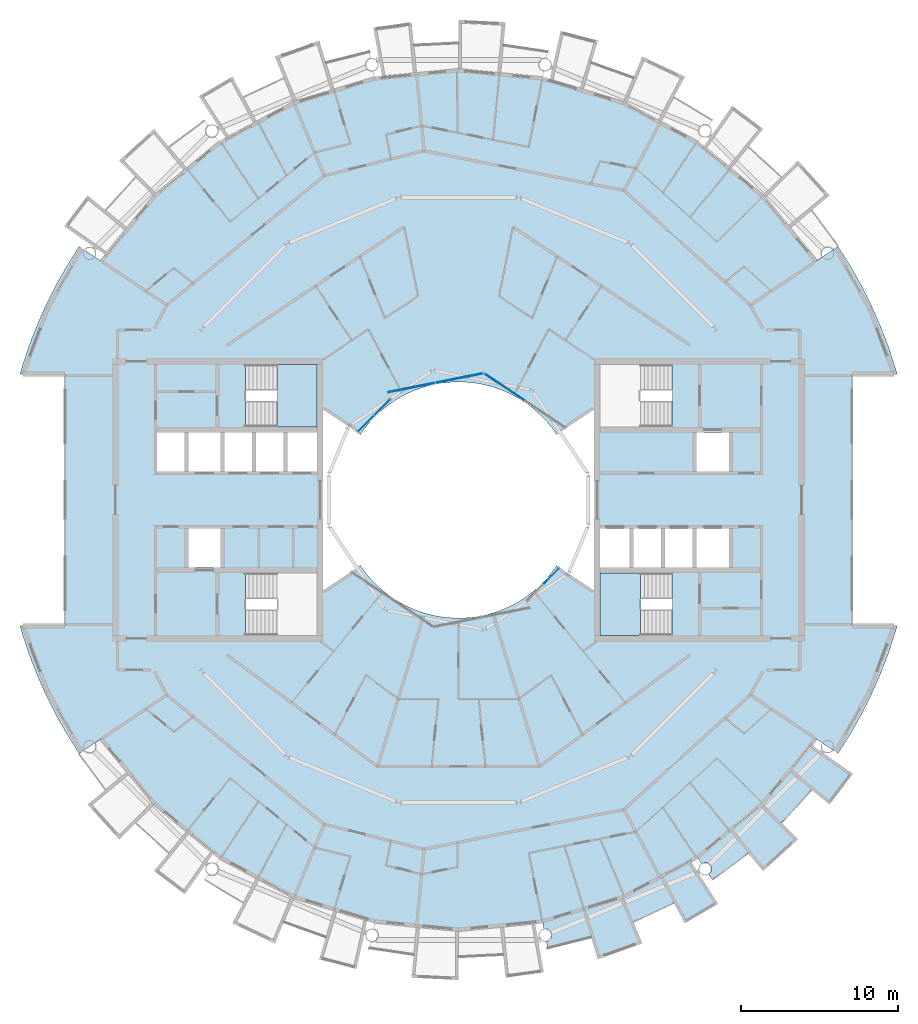
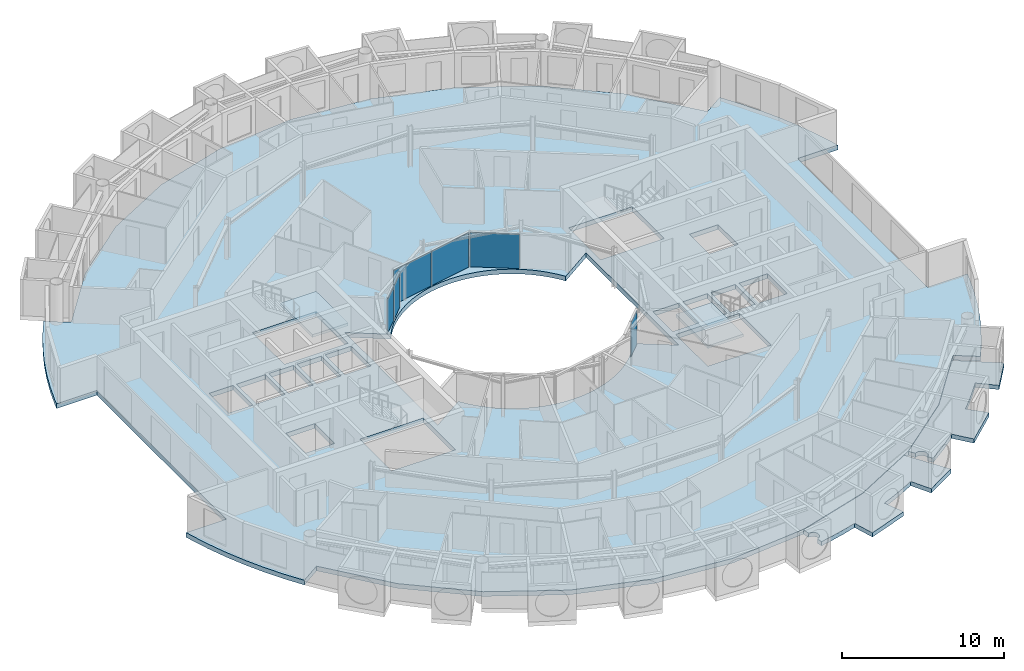
# One storey, part 12 of 28: 6 plates, 5 slabs, 6 elements without a shape of their own.
"""IFC4 building model written with IfcOpenShell, lengths in metres."""

from ifc_helpers import new_model, si_unit, direction, frame, origin, origin_2d, place, context, subcontext, project, spatial, polyline, rectangle, outline, extrude, material, layer, layer_set, type_object, element, aggregate, save


model = new_model("IFC4")

# Units and contexts
model_context = context("Model", 3, precision=1e-05, world=origin(), true_north=direction((0.0, 1.0)))
body_context = subcontext(model_context, "Body", "Model", "MODEL_VIEW")
ifc_project = project(units=[si_unit("LENGTHUNIT", "METRE"), si_unit("AREAUNIT", "SQUARE_METRE"), si_unit("VOLUMEUNIT", "CUBIC_METRE"), si_unit("PLANEANGLEUNIT", "RADIAN"), si_unit("MASSUNIT", "GRAM", prefix="KILO")], contexts=[model_context])

# Site, building, storey
site_placement = place(None, origin())
site = spatial("IfcSite", under=ifc_project, at=site_placement, CompositionType="ELEMENT")
building_placement = place(site_placement, origin())
building = spatial("IfcBuilding", under=site, at=building_placement, Name="Maasbend Ring Residences", CompositionType="ELEMENT")
storey_placement = place(building_placement, frame((0.0, 0.0, 227.949951171875)))
storey = spatial("IfcBuildingStorey", under=building, at=storey_placement, Name="L65", CompositionType="ELEMENT", Elevation=227.949951171875)

# Stair, slab
ifc_material_1 = material(Name="Concrete C40/50", Category="concrete")
stair_type = type_object("IfcStairType", Name="CORE STAIR 18 RISERS", PredefinedType="HALF_TURN_STAIR", material=ifc_material_1)
stair_1_placement = place(storey_placement, origin())
stair_1 = element("IfcStair", 1, at=stair_1_placement, inside=storey, type_object=stair_type, Name="L65 Exit stair ST-E2", PredefinedType="HALF_TURN_STAIR")
ifc_material_2 = material(Name="Concrete C40/50", Category="concrete")
ifc_layer_1 = layer(ifc_material_2, 0.199951171875)
ifc_layer_set_1 = layer_set([ifc_layer_1], Name="Concrete C40/50")
slab_type_1 = type_object("IfcSlabType", Name="CORE STAIR LANDING 200", PredefinedType="LANDING", material=ifc_layer_set_1)
slab_1_placement = place(storey_placement, frame((0.0, 0.0, 1.324951171875)))
slab_1 = element("IfcSlab", 2, at=slab_1_placement, type_object=slab_type_1, Name="ST-E2 landing 1", PredefinedType="LANDING", context=body_context, shape_type="SweptSolid", body=[
    extrude(outline(polyline([(11.550048828125, -4.64990234375), (9.0, -4.64990234375), (9.0, -8.60009765625), (11.550048828125, -8.60009765625), (11.550048828125, -4.64990234375)])), origin(), (0.0, 0.0, 1.0), 0.2001953125),
])
aggregate(stair_1, [slab_1])

stair_2_placement = place(storey_placement, origin())
stair_2 = element("IfcStair", 3, at=stair_2_placement, inside=storey, type_object=stair_type, Name="L65 Exit stair ST-W2", PredefinedType="HALF_TURN_STAIR")
slab_2_placement = place(storey_placement, frame((0.0, 0.0, 1.324951171875)))
slab_2 = element("IfcSlab", 4, at=slab_2_placement, type_object=slab_type_1, Name="ST-W2 landing 1", PredefinedType="LANDING", context=body_context, shape_type="SweptSolid", body=[
    extrude(outline(polyline([(-11.550048828125, 4.64990234375), (-9.0, 4.64990234375), (-9.0, 8.60009765625), (-11.550048828125, 8.60009765625), (-11.550048828125, 4.64990234375)])), origin(), (0.0, 0.0, 1.0), 0.2001953125),
])
aggregate(stair_2, [slab_2])

# Curtain wall, plate
ifc_material_3 = material(Name="Aluminium and clear glass", Category="aluminium")
ifc_layer_2 = layer(ifc_material_3, 0.179931640625)
ifc_layer_set_2 = layer_set([ifc_layer_2], Name="CW-W")
curtain_wall_type = type_object("IfcCurtainWallType", Name="CW-W", PredefinedType="NOTDEFINED", material=ifc_layer_set_2)
curtain_wall_1_placement = place(storey_placement, origin())
curtain_wall_1 = element("IfcCurtainWall", 5, at=curtain_wall_1_placement, inside=storey, type_object=curtain_wall_type, Name="Well curtain wall N1", PredefinedType="NOTDEFINED")
ifc_material_4 = material(Name="Glass clear laminated", Category="glass")
ifc_layer_3 = layer(ifc_material_4, 0.031982421875)
ifc_layer_set_3 = layer_set([ifc_layer_3], Name="CWP-W")
plate_type = type_object("IfcPlateType", Name="CWP-W", PredefinedType="CURTAIN_PANEL", material=ifc_layer_set_3)
plate_1_placement = place(storey_placement, frame((2.922119140625, 7.17578125, 0.0), z_axis=(0.0, 0.0, 1.0), x_axis=(-0.831469612303, 0.55557023302, 0.0)))
plate_1 = element("IfcPlate", 6, at=plate_1_placement, type_object=plate_type, Name="Glass panel well face", PredefinedType="CURTAIN_PANEL", context=body_context, shape_type="SweptSolid", body=[
    extrude(rectangle(XDim=3.053955078125, YDim=0.031982421875, at=origin_2d()), origin(), (0.0, 0.0, 1.0), 2.580078125),
])
aggregate(curtain_wall_1, [plate_1])

# Curtain wall, plates
curtain_wall_2_placement = place(storey_placement, origin())
curtain_wall_2 = element("IfcCurtainWall", 7, at=curtain_wall_2_placement, inside=storey, type_object=curtain_wall_type, Name="Well curtain wall N2", PredefinedType="NOTDEFINED")
plate_2_placement = place(storey_placement, frame((0.04638671875, 7.747802734375, 0.0), z_axis=(0.0, 0.0, 1.0), x_axis=(-0.980785280403, -0.195090322016, 0.0)))
plate_2 = element("IfcPlate", 8, at=plate_2_placement, type_object=plate_type, Name="Glass panel well face", PredefinedType="CURTAIN_PANEL", context=body_context, shape_type="SweptSolid", body=[
    extrude(rectangle(XDim=3.053955078125, YDim=0.031982421875, at=origin_2d()), origin(), (0.0, 0.0, 1.0), 2.580078125),
])
plate_3_placement = place(storey_placement, frame((-3.0078125, 7.140380859375, 0.0), z_axis=(0.0, 0.0, 1.0), x_axis=(-0.980785280403, -0.195090322016, 0.0)))
plate_3 = element("IfcPlate", 9, at=plate_3_placement, type_object=plate_type, Name="Glass panel well face", PredefinedType="CURTAIN_PANEL", context=body_context, shape_type="SweptSolid", body=[
    extrude(rectangle(XDim=3.053955078125, YDim=0.031982421875, at=origin_2d()), origin(), (0.0, 0.0, 1.0), 2.580078125),
])
aggregate(curtain_wall_2, [plate_2, plate_3])

curtain_wall_3_placement = place(storey_placement, origin())
curtain_wall_3 = element("IfcCurtainWall", 10, at=curtain_wall_3_placement, inside=storey, type_object=curtain_wall_type, Name="Well curtain wall N3", PredefinedType="NOTDEFINED")
plate_4_placement = place(storey_placement, frame((-4.84375, 5.89013671875, 0.0), z_axis=(0.0, 0.0, 1.0), x_axis=(-0.707106781187, -0.707106781187, 0.0)))
plate_4 = element("IfcPlate", 11, at=plate_4_placement, type_object=plate_type, Name="Glass panel well face", PredefinedType="CURTAIN_PANEL", context=body_context, shape_type="SweptSolid", body=[
    extrude(rectangle(XDim=1.419677734375, YDim=0.031982421875, at=origin_2d()), origin(), (0.0, 0.0, 1.0), 2.580078125),
])
plate_5_placement = place(storey_placement, frame((-5.89013671875, 4.84375, 0.0), z_axis=(0.0, 0.0, 1.0), x_axis=(-0.707106781187, -0.707106781187, 0.0)))
plate_5 = element("IfcPlate", 12, at=plate_5_placement, type_object=plate_type, Name="Glass panel well face", PredefinedType="CURTAIN_PANEL", context=body_context, shape_type="SweptSolid", body=[
    extrude(rectangle(XDim=1.419677734375, YDim=0.031982421875, at=origin_2d()), origin(), (0.0, 0.0, 1.0), 2.580078125),
])
aggregate(curtain_wall_3, [plate_4, plate_5])

# Curtain wall, plate
curtain_wall_4_placement = place(storey_placement, origin())
curtain_wall_4 = element("IfcCurtainWall", 13, at=curtain_wall_4_placement, inside=storey, type_object=curtain_wall_type, Name="Well curtain wall S3", PredefinedType="NOTDEFINED")
plate_6_placement = place(storey_placement, frame((5.89013671875, -4.84375, 0.0), z_axis=(0.0, 0.0, 1.0), x_axis=(0.707106781187, 0.707106781187, 0.0)))
plate_6 = element("IfcPlate", 14, at=plate_6_placement, type_object=plate_type, Name="Glass panel well face", PredefinedType="CURTAIN_PANEL", context=body_context, shape_type="SweptSolid", body=[
    extrude(rectangle(XDim=1.419677734375, YDim=0.031982421875, at=origin_2d()), origin(), (0.0, 0.0, 1.0), 2.580078125),
])
aggregate(curtain_wall_4, [plate_6])

# Slabs
ifc_material_5 = material(Name="Concrete C40/50", Category="concrete")
ifc_layer_4 = layer(ifc_material_5, 0.35009765625)
ifc_layer_set_4 = layer_set([ifc_layer_4], Name="Concrete C40/50")
slab_type_2 = type_object("IfcSlabType", Name="Post-tensioned flat plate 350", PredefinedType="FLOOR", material=ifc_layer_set_4)
slab_3_placement = place(storey_placement, frame((0.0, 0.0, -0.349853515625)))
element("IfcSlab", 15, at=slab_3_placement, inside=storey, type_object=slab_type_2, Name="Floor slab L65", PredefinedType="FLOOR", context=body_context, shape_type="SweptSolid", body=[
    extrude(outline(polyline([(24.8740234375, -14.908935546875), (25.57568359375, -13.67041015625), (26.2158203125, -12.399169921875), (26.79248046875, -11.097900390625), (27.3046875, -9.769775390625), (27.751220703125, -8.418212890625), (27.866943359375, -8.0), (25.0, -8.0), (25.0, 8.0), (27.866943359375, 8.0), (27.751220703125, 8.418212890625), (27.3046875, 9.769775390625), (26.79248046875, 11.097900390625), (26.2158203125, 12.399169921875), (25.57568359375, 13.67041015625), (24.8740234375, 14.908935546875), (24.112548828125, 16.111572265625), (22.69921875, 15.1669921875), (19.303955078125, 19.303955078125), (15.1669921875, 22.69921875), (10.447265625, 25.221923828125), (5.325927734375, 26.775390625), (0.0, 27.300048828125), (-5.325927734375, 26.775390625), (-10.447265625, 25.221923828125), (-15.1669921875, 22.69921875), (-19.303955078125, 19.303955078125), (-22.69921875, 15.1669921875), (-24.112548828125, 16.111572265625), (-24.8740234375, 14.908935546875), (-25.57568359375, 13.67041015625), (-26.2158203125, 12.399169921875), (-26.79248046875, 11.097900390625), (-27.3046875, 9.769775390625), (-27.751220703125, 8.418212890625), (-27.866943359375, 8.0), (-25.0, 8.0), (-25.0, -8.0), (-27.866943359375, -8.0), (-27.751220703125, -8.418212890625), (-27.3046875, -9.769775390625), (-26.79248046875, -11.097900390625), (-26.2158203125, -12.399169921875), (-25.57568359375, -13.67041015625), (-24.8740234375, -14.908935546875), (-24.112548828125, -16.111572265625), (-22.69921875, -15.1669921875), (-19.303955078125, -19.303955078125), (-15.1669921875, -22.69921875), (-10.447265625, -25.221923828125), (-5.325927734375, -26.775390625), (0.0, -27.300048828125), (5.325927734375, -26.775390625), (10.447265625, -25.221923828125), (15.1669921875, -22.69921875), (19.303955078125, -19.303955078125), (22.69921875, -15.1669921875), (24.112548828125, -16.111572265625), (24.8740234375, -14.908935546875)]), holes=[polyline([(15.125, 1.824951171875), (15.125, 4.27490234375), (17.175048828125, 4.27490234375), (17.175048828125, 1.824951171875), (15.125, 1.824951171875)]), polyline([(15.125, -4.27490234375), (15.125, -1.824951171875), (17.175048828125, -1.824951171875), (17.175048828125, -4.27490234375), (15.125, -4.27490234375)]), polyline([(13.125, -4.27490234375), (13.125, -1.824951171875), (14.875, -1.824951171875), (14.875, -4.27490234375), (13.125, -4.27490234375)]), polyline([(13.550048828125, 8.60009765625), (13.550048828125, 4.64990234375), (9.0, 4.64990234375), (9.0, 8.60009765625), (13.550048828125, 8.60009765625)]), polyline([(13.550048828125, -4.64990234375), (13.550048828125, -8.60009765625), (9.0, -8.60009765625), (9.0, -4.64990234375), (13.550048828125, -4.64990234375)]), polyline([(11.125, -4.27490234375), (11.125, -1.824951171875), (12.875, -1.824951171875), (12.875, -4.27490234375), (11.125, -4.27490234375)]), polyline([(9.0, -4.27490234375), (9.0, -1.824951171875), (10.875, -1.824951171875), (10.875, -4.27490234375), (9.0, -4.27490234375)]), polyline([(6.024169921875, 4.4677734375), (6.236083984375, 4.166748046875), (8.60009765625, 5.746337890625), (8.60009765625, -5.746337890625), (6.236083984375, -4.166748046875), (6.024169921875, -4.4677734375), (5.797607421875, -4.7578125), (5.55712890625, -5.03662109375), (5.30322265625, -5.30322265625), (5.03662109375, -5.55712890625), (4.7578125, -5.797607421875), (4.4677734375, -6.024169921875), (4.166748046875, -6.236083984375), (3.855712890625, -6.43310546875), (3.535400390625, -6.614501953125), (3.206787109375, -6.77978515625), (2.8701171875, -6.92919921875), (2.526611328125, -7.0615234375), (2.177001953125, -7.177001953125), (1.822509765625, -7.275146484375), (1.463134765625, -7.35595703125), (1.1005859375, -7.418701171875), (0.735107421875, -7.4638671875), (0.367919921875, -7.490966796875), (0.0, -7.5), (-0.367919921875, -7.490966796875), (-0.735107421875, -7.4638671875), (-1.1005859375, -7.418701171875), (-1.463134765625, -7.35595703125), (-1.822509765625, -7.275146484375), (-2.177001953125, -7.177001953125), (-2.526611328125, -7.0615234375), (-2.8701171875, -6.92919921875), (-3.206787109375, -6.77978515625), (-3.535400390625, -6.614501953125), (-3.855712890625, -6.43310546875), (-4.166748046875, -6.236083984375), (-4.4677734375, -6.024169921875), (-4.7578125, -5.797607421875), (-5.03662109375, -5.55712890625), (-5.30322265625, -5.30322265625), (-5.55712890625, -5.03662109375), (-5.797607421875, -4.7578125), (-6.024169921875, -4.4677734375), (-6.236083984375, -4.166748046875), (-8.60009765625, -5.746337890625), (-8.60009765625, 5.746337890625), (-6.236083984375, 4.166748046875), (-6.024169921875, 4.4677734375), (-5.797607421875, 4.7578125), (-5.55712890625, 5.03662109375), (-5.30322265625, 5.30322265625), (-5.03662109375, 5.55712890625), (-4.7578125, 5.797607421875), (-4.4677734375, 6.024169921875), (-4.166748046875, 6.236083984375), (-3.855712890625, 6.43310546875), (-3.535400390625, 6.614501953125), (-3.206787109375, 6.77978515625), (-2.8701171875, 6.92919921875), (-2.526611328125, 7.0615234375), (-2.177001953125, 7.177001953125), (-1.822509765625, 7.275146484375), (-1.463134765625, 7.35595703125), (-1.1005859375, 7.418701171875), (-0.735107421875, 7.4638671875), (-0.367919921875, 7.490966796875), (0.0, 7.5), (0.367919921875, 7.490966796875), (0.735107421875, 7.4638671875), (1.1005859375, 7.418701171875), (1.463134765625, 7.35595703125), (1.822509765625, 7.275146484375), (2.177001953125, 7.177001953125), (2.526611328125, 7.0615234375), (2.8701171875, 6.92919921875), (3.206787109375, 6.77978515625), (3.535400390625, 6.614501953125), (3.855712890625, 6.43310546875), (4.166748046875, 6.236083984375), (4.4677734375, 6.024169921875), (4.7578125, 5.797607421875), (5.03662109375, 5.55712890625), (5.30322265625, 5.30322265625), (5.55712890625, 5.03662109375), (5.797607421875, 4.7578125), (6.024169921875, 4.4677734375)]), polyline([(-13.550048828125, 4.64990234375), (-13.550048828125, 8.60009765625), (-9.0, 8.60009765625), (-9.0, 4.64990234375), (-13.550048828125, 4.64990234375)]), polyline([(-9.0, -8.60009765625), (-13.550048828125, -8.60009765625), (-13.550048828125, -4.64990234375), (-9.0, -4.64990234375), (-9.0, -8.60009765625)]), polyline([(-9.0, 4.27490234375), (-9.0, 1.824951171875), (-10.875, 1.824951171875), (-10.875, 4.27490234375), (-9.0, 4.27490234375)]), polyline([(-11.125, 4.27490234375), (-11.125, 1.824951171875), (-12.875, 1.824951171875), (-12.875, 4.27490234375), (-11.125, 4.27490234375)]), polyline([(-13.125, 4.27490234375), (-13.125, 1.824951171875), (-14.875, 1.824951171875), (-14.875, 4.27490234375), (-13.125, 4.27490234375)]), polyline([(-15.125, 4.27490234375), (-15.125, 1.824951171875), (-17.175048828125, 1.824951171875), (-17.175048828125, 4.27490234375), (-15.125, 4.27490234375)]), polyline([(-15.125, -1.824951171875), (-15.125, -4.27490234375), (-17.175048828125, -4.27490234375), (-17.175048828125, -1.824951171875), (-15.125, -1.824951171875)]), polyline([(-17.425048828125, 4.27490234375), (-17.425048828125, 1.824951171875), (-19.14990234375, 1.824951171875), (-19.14990234375, 4.27490234375), (-17.425048828125, 4.27490234375)])]), origin(), (0.0, 0.0, 1.0), 0.349853515625),
])
ifc_material_6 = material(Name="Concrete C40/50", Category="concrete")
ifc_layer_5 = layer(ifc_material_6, 0.199951171875)
ifc_layer_set_5 = layer_set([ifc_layer_5], Name="Concrete C40/50")
slab_type_3 = type_object("IfcSlabType", Name="SL-LOGGIA", PredefinedType="FLOOR", material=ifc_layer_set_5)
slab_4_placement = place(storey_placement, frame((0.0, 0.0, -0.349853515625)))
element("IfcSlab", 16, at=slab_4_placement, inside=storey, type_object=slab_type_3, Name="Loggia floor 2", PredefinedType="FLOOR", context=body_context, shape_type="SweptSolid", body=[
    extrude(outline(polyline([(10.447021484375, -25.221923828125), (12.806884765625, -23.9609375), (14.73291015625, -22.930908203125), (14.73291015625, -22.930908203125), (14.73291015625, -22.930908203125), (16.487060546875, -25.659912109375), (16.487060546875, -25.659912109375), (16.487060546875, -25.659912109375), (14.3779296875, -26.89892578125), (14.3779296875, -26.89892578125), (14.3779296875, -26.89892578125), (13.6708984375, -25.575927734375), (13.6708984375, -25.575927734375), (13.6708984375, -25.575927734375), (13.6708984375, -25.575927734375), (13.6708984375, -25.575927734375), (13.6708984375, -25.575927734375), (13.6708984375, -25.575927734375), (13.669921875, -25.575927734375), (13.669921875, -25.575927734375), (13.669921875, -25.575927734375), (13.669921875, -25.575927734375), (13.669921875, -25.575927734375), (13.669921875, -25.575927734375), (13.669921875, -25.575927734375), (13.669921875, -25.575927734375), (13.669921875, -25.575927734375), (13.669921875, -25.575927734375), (12.825927734375, -26.009033203125), (12.825927734375, -26.009033203125), (11.968994140625, -26.4150390625), (11.968994140625, -26.4150390625), (11.097900390625, -26.7919921875), (11.097900390625, -26.7919921875), (11.097900390625, -26.7919921875), (11.097900390625, -26.7919921875), (11.097900390625, -26.7919921875), (11.097900390625, -26.7919921875), (11.097900390625, -26.7919921875), (11.097900390625, -26.79296875), (11.097900390625, -26.79296875), (11.097900390625, -26.79296875), (11.097900390625, -26.79296875), (11.097900390625, -26.79296875), (11.097900390625, -26.79296875), (11.097900390625, -26.79296875), (11.097900390625, -26.79296875), (11.097900390625, -26.79296875), (11.097900390625, -26.79296875), (11.672119140625, -28.177978515625), (11.672119140625, -28.177978515625), (11.672119140625, -28.177978515625), (8.85400390625, -29.18701171875), (8.85400390625, -29.18701171875), (8.85400390625, -29.18701171875), (8.41796875, -27.751953125), (8.41796875, -27.751953125), (8.41796875, -27.751953125), (8.41796875, -27.751953125), (8.41796875, -27.751953125), (8.41796875, -27.751953125), (8.41796875, -27.751953125), (8.41796875, -27.7509765625), (8.41796875, -27.7509765625), (8.41796875, -27.7509765625), (8.41796875, -27.7509765625), (8.41796875, -27.7509765625), (8.41796875, -27.7509765625), (8.41796875, -27.7509765625), (8.41796875, -27.7509765625), (8.41796875, -27.7509765625), (8.41796875, -27.7509765625), (7.506103515625, -28.011962890625), (7.506103515625, -28.011962890625), (6.5849609375, -28.241943359375), (6.5849609375, -28.241943359375), (5.657958984375, -28.443115234375), (5.657958984375, -28.443115234375), (5.657958984375, -28.443115234375), (5.5810546875, -28.056884765625), (5.591064453125, -28.054931640625), (5.60009765625, -28.052001953125), (5.610107421875, -28.050048828125), (5.6201171875, -28.047119140625), (5.62890625, -28.0439453125), (5.637939453125, -28.041015625), (5.64794921875, -28.037109375), (5.656982421875, -28.033935546875), (5.666015625, -28.030029296875), (5.675048828125, -28.02587890625), (5.68408203125, -28.02099609375), (5.693115234375, -28.01708984375), (5.701904296875, -28.011962890625), (5.7099609375, -28.007080078125), (5.718994140625, -28.001953125), (5.72705078125, -27.99609375), (5.736083984375, -27.989990234375), (5.743896484375, -27.985107421875), (5.751953125, -27.97900390625), (5.759033203125, -27.971923828125), (5.76708984375, -27.966064453125), (5.77392578125, -27.958984375), (5.781982421875, -27.952880859375), (5.7890625, -27.946044921875), (5.7958984375, -27.93798828125), (5.802978515625, -27.930908203125), (5.80908203125, -27.924072265625), (5.81591796875, -27.916015625), (5.822021484375, -27.907958984375), (5.827880859375, -27.89990234375), (5.833984375, -27.89208984375), (5.839111328125, -27.884033203125), (5.844970703125, -27.8759765625), (5.85009765625, -27.866943359375), (5.85498046875, -27.85791015625), (5.860107421875, -27.85009765625), (5.864990234375, -27.841064453125), (5.868896484375, -27.83203125), (5.873046875, -27.822998046875), (5.876953125, -27.81396484375), (5.881103515625, -27.803955078125), (5.884033203125, -27.794921875), (5.886962890625, -27.785888671875), (5.889892578125, -27.77587890625), (5.89306640625, -27.76708984375), (5.89599609375, -27.757080078125), (5.89794921875, -27.7470703125), (5.89990234375, -27.737060546875), (5.902099609375, -27.72802734375), (5.904052734375, -27.718017578125), (5.905029296875, -27.7080078125), (5.906005859375, -27.697998046875), (5.906982421875, -27.68798828125), (5.907958984375, -27.677978515625), (5.907958984375, -27.66796875), (5.907958984375, -27.657958984375), (5.907958984375, -27.64794921875), (5.907958984375, -27.637939453125), (5.906982421875, -27.6279296875), (5.906005859375, -27.617919921875), (5.905029296875, -27.60791015625), (5.904052734375, -27.597900390625), (5.902099609375, -27.589111328125), (5.89990234375, -27.5791015625), (5.89794921875, -27.569091796875), (5.89599609375, -27.55908203125), (5.89306640625, -27.550048828125), (5.889892578125, -27.5400390625), (5.886962890625, -27.531005859375), (5.884033203125, -27.52099609375), (5.881103515625, -27.511962890625), (5.876953125, -27.5029296875), (5.873046875, -27.492919921875), (5.868896484375, -27.48388671875), (5.864990234375, -27.47509765625), (5.860107421875, -27.466064453125), (5.85498046875, -27.4580078125), (5.85009765625, -27.448974609375), (5.844970703125, -27.44091796875), (5.839111328125, -27.431884765625), (5.833984375, -27.424072265625), (5.827880859375, -27.416015625), (5.822021484375, -27.407958984375), (5.81591796875, -27.39990234375), (5.80908203125, -27.39306640625), (5.802978515625, -27.385009765625), (5.7958984375, -27.3779296875), (5.7890625, -27.37109375), (5.781982421875, -27.364013671875), (5.77392578125, -27.35693359375), (5.76708984375, -27.35009765625), (5.759033203125, -27.343994140625), (5.751953125, -27.337890625), (5.743896484375, -27.33203125), (5.736083984375, -27.325927734375), (5.72705078125, -27.320068359375), (5.718994140625, -27.31494140625), (5.7099609375, -27.30908203125), (5.701904296875, -27.303955078125), (5.693115234375, -27.300048828125), (5.68408203125, -27.294921875), (5.675048828125, -27.291015625), (5.666015625, -27.285888671875), (5.656982421875, -27.282958984375), (5.64794921875, -27.279052734375), (5.637939453125, -27.27490234375), (5.62890625, -27.27197265625), (5.6201171875, -27.26904296875), (5.610107421875, -27.26611328125), (5.60009765625, -27.263916015625), (5.591064453125, -27.260986328125), (5.5810546875, -27.259033203125), (5.571044921875, -27.258056640625), (5.56103515625, -27.256103515625), (5.551025390625, -27.2548828125), (5.541015625, -27.25390625), (5.531005859375, -27.2529296875), (5.52099609375, -27.251953125), (5.510986328125, -27.251953125), (5.501953125, -27.251953125), (5.491943359375, -27.251953125), (5.48193359375, -27.251953125), (5.471923828125, -27.2529296875), (5.4619140625, -27.25390625), (5.451904296875, -27.2548828125), (5.44189453125, -27.256103515625), (5.431884765625, -27.258056640625), (5.422119140625, -27.259033203125), (5.325927734375, -26.77490234375), (5.325927734375, -26.77490234375), (5.325927734375, -26.77490234375), (7.886962890625, -25.9990234375), (10.447021484375, -25.221923828125), (10.447021484375, -25.221923828125), (10.447021484375, -25.221923828125)])), origin(), (0.0, 0.0, 1.0), 0.31982421875),
])
slab_5_placement = place(storey_placement, frame((0.0, 0.0, -0.349853515625)))
element("IfcSlab", 17, at=slab_5_placement, inside=storey, type_object=slab_type_3, Name="Loggia floor 5", PredefinedType="FLOOR", context=body_context, shape_type="SweptSolid", body=[
    extrude(outline(polyline([(19.303955078125, -19.303955078125), (21.001953125, -17.236083984375), (22.386962890625, -15.547119140625), (22.386962890625, -15.547119140625), (22.386962890625, -15.547119140625), (25.051025390625, -17.39794921875), (25.051025390625, -17.39794921875), (25.051025390625, -17.39794921875), (23.576904296875, -19.34912109375), (23.576904296875, -19.34912109375), (23.576904296875, -19.34912109375), (22.41796875, -18.39794921875), (22.41796875, -18.39794921875), (22.41796875, -18.39794921875), (22.41796875, -18.39794921875), (22.41796875, -18.39794921875), (22.4169921875, -18.39794921875), (22.4169921875, -18.39794921875), (22.4169921875, -18.39794921875), (22.4169921875, -18.39794921875), (22.4169921875, -18.39794921875), (22.4169921875, -18.39794921875), (22.4169921875, -18.39794921875), (22.4169921875, -18.39794921875), (22.4169921875, -18.39794921875), (22.4169921875, -18.39794921875), (22.4169921875, -18.39794921875), (22.4169921875, -18.39794921875), (21.802978515625, -19.12109375), (21.802978515625, -19.12109375), (21.166015625, -19.823974609375), (21.166015625, -19.823974609375), (20.506103515625, -20.506103515625), (20.506103515625, -20.506103515625), (20.506103515625, -20.506103515625), (20.506103515625, -20.506103515625), (20.506103515625, -20.506103515625), (20.506103515625, -20.506103515625), (20.506103515625, -20.506103515625), (20.506103515625, -20.506103515625), (20.506103515625, -20.506103515625), (20.506103515625, -20.506103515625), (20.506103515625, -20.506103515625), (20.506103515625, -20.506103515625), (20.506103515625, -20.506103515625), (20.506103515625, -20.506103515625), (20.506103515625, -20.506103515625), (20.506103515625, -20.506103515625), (20.506103515625, -20.506103515625), (21.56689453125, -21.56689453125), (21.56689453125, -21.56689453125), (21.56689453125, -21.56689453125), (19.34912109375, -23.576904296875), (19.34912109375, -23.576904296875), (19.34912109375, -23.576904296875), (18.39794921875, -22.41796875), (18.39794921875, -22.41796875), (18.39794921875, -22.41796875), (18.39794921875, -22.41796875), (18.39794921875, -22.41796875), (18.39794921875, -22.41796875), (18.39697265625, -22.41796875), (18.39697265625, -22.41796875), (18.39697265625, -22.41796875), (18.39697265625, -22.41796875), (18.39697265625, -22.41796875), (18.39697265625, -22.41796875), (18.39697265625, -22.41796875), (18.39697265625, -22.41796875), (18.39697265625, -22.41796875), (18.39697265625, -22.41796875), (18.39697265625, -22.41796875), (17.654052734375, -23.007080078125), (17.654052734375, -23.007080078125), (16.89208984375, -23.572998046875), (16.89208984375, -23.572998046875), (16.112060546875, -24.113037109375), (16.112060546875, -24.113037109375), (16.112060546875, -24.113037109375), (15.89306640625, -23.784912109375), (15.89306640625, -23.784912109375), (15.90087890625, -23.780029296875), (15.908935546875, -23.77392578125), (15.9169921875, -23.76806640625), (15.925048828125, -23.761962890625), (15.93310546875, -23.7548828125), (15.93994140625, -23.7490234375), (15.947021484375, -23.741943359375), (15.955078125, -23.735107421875), (15.9619140625, -23.72802734375), (15.968017578125, -23.719970703125), (15.97509765625, -23.712890625), (15.98095703125, -23.705078125), (15.988037109375, -23.697021484375), (15.993896484375, -23.68994140625), (15.9990234375, -23.680908203125), (16.0048828125, -23.673095703125), (16.010986328125, -23.6650390625), (16.01611328125, -23.656005859375), (16.02099609375, -23.64794921875), (16.02587890625, -23.638916015625), (16.030029296875, -23.6298828125), (16.034912109375, -23.62109375), (16.0390625, -23.612060546875), (16.04296875, -23.60302734375), (16.0458984375, -23.593994140625), (16.050048828125, -23.583984375), (16.052978515625, -23.574951171875), (16.055908203125, -23.56494140625), (16.05908203125, -23.555908203125), (16.06103515625, -23.5458984375), (16.06396484375, -23.535888671875), (16.06591796875, -23.527099609375), (16.068115234375, -23.51708984375), (16.069091796875, -23.507080078125), (16.071044921875, -23.4970703125), (16.072021484375, -23.487060546875), (16.072021484375, -23.47705078125), (16.072998046875, -23.467041015625), (16.072998046875, -23.45703125), (16.073974609375, -23.447021484375), (16.072998046875, -23.43701171875), (16.072998046875, -23.427001953125), (16.072021484375, -23.4169921875), (16.072021484375, -23.407958984375), (16.071044921875, -23.39794921875), (16.069091796875, -23.387939453125), (16.068115234375, -23.3779296875), (16.06591796875, -23.367919921875), (16.06396484375, -23.35791015625), (16.06103515625, -23.34912109375), (16.05908203125, -23.339111328125), (16.055908203125, -23.3291015625), (16.052978515625, -23.320068359375), (16.050048828125, -23.31005859375), (16.0458984375, -23.301025390625), (16.04296875, -23.2919921875), (16.0390625, -23.282958984375), (16.034912109375, -23.27392578125), (16.030029296875, -23.264892578125), (16.02587890625, -23.256103515625), (16.02099609375, -23.2470703125), (16.01611328125, -23.238037109375), (16.010986328125, -23.22998046875), (16.0048828125, -23.221923828125), (15.9990234375, -23.212890625), (15.993896484375, -23.205078125), (15.988037109375, -23.197021484375), (15.98095703125, -23.18994140625), (15.97509765625, -23.181884765625), (15.968017578125, -23.174072265625), (15.9619140625, -23.1669921875), (15.955078125, -23.159912109375), (15.947021484375, -23.153076171875), (15.93994140625, -23.14599609375), (15.93310546875, -23.139892578125), (15.925048828125, -23.133056640625), (15.9169921875, -23.126953125), (15.908935546875, -23.12109375), (15.90087890625, -23.114990234375), (15.89306640625, -23.10888671875), (15.885009765625, -23.10400390625), (15.8759765625, -23.09912109375), (15.866943359375, -23.093994140625), (15.85888671875, -23.089111328125), (15.85009765625, -23.083984375), (15.841064453125, -23.080078125), (15.83203125, -23.075927734375), (15.822998046875, -23.072021484375), (15.81298828125, -23.068115234375), (15.803955078125, -23.06494140625), (15.794921875, -23.06103515625), (15.784912109375, -23.05810546875), (15.77587890625, -23.055908203125), (15.76611328125, -23.052978515625), (15.756103515625, -23.051025390625), (15.74609375, -23.049072265625), (15.737060546875, -23.047119140625), (15.72705078125, -23.044921875), (15.717041015625, -23.0439453125), (15.70703125, -23.04296875), (15.697021484375, -23.0419921875), (15.68701171875, -23.041015625), (15.677001953125, -23.041015625), (15.6669921875, -23.041015625), (15.656982421875, -23.041015625), (15.64697265625, -23.041015625), (15.636962890625, -23.0419921875), (15.626953125, -23.04296875), (15.616943359375, -23.0439453125), (15.60693359375, -23.044921875), (15.597900390625, -23.047119140625), (15.587890625, -23.049072265625), (15.577880859375, -23.051025390625), (15.568115234375, -23.052978515625), (15.55908203125, -23.055908203125), (15.549072265625, -23.05810546875), (15.5400390625, -23.06103515625), (15.530029296875, -23.06494140625), (15.52099609375, -23.068115234375), (15.511962890625, -23.072021484375), (15.501953125, -23.075927734375), (15.492919921875, -23.080078125), (15.48388671875, -23.083984375), (15.47509765625, -23.089111328125), (15.467041015625, -23.093994140625), (15.4580078125, -23.09912109375), (15.449951171875, -23.10400390625), (15.44091796875, -23.10888671875), (15.44091796875, -23.10888671875), (15.1669921875, -22.698974609375), (15.1669921875, -22.698974609375), (15.1669921875, -22.698974609375), (17.236083984375, -21.001953125), (19.303955078125, -19.303955078125), (19.303955078125, -19.303955078125), (19.303955078125, -19.303955078125)])), origin(), (0.0, 0.0, 1.0), 0.31982421875),
])

save(model, "model.ifc")
